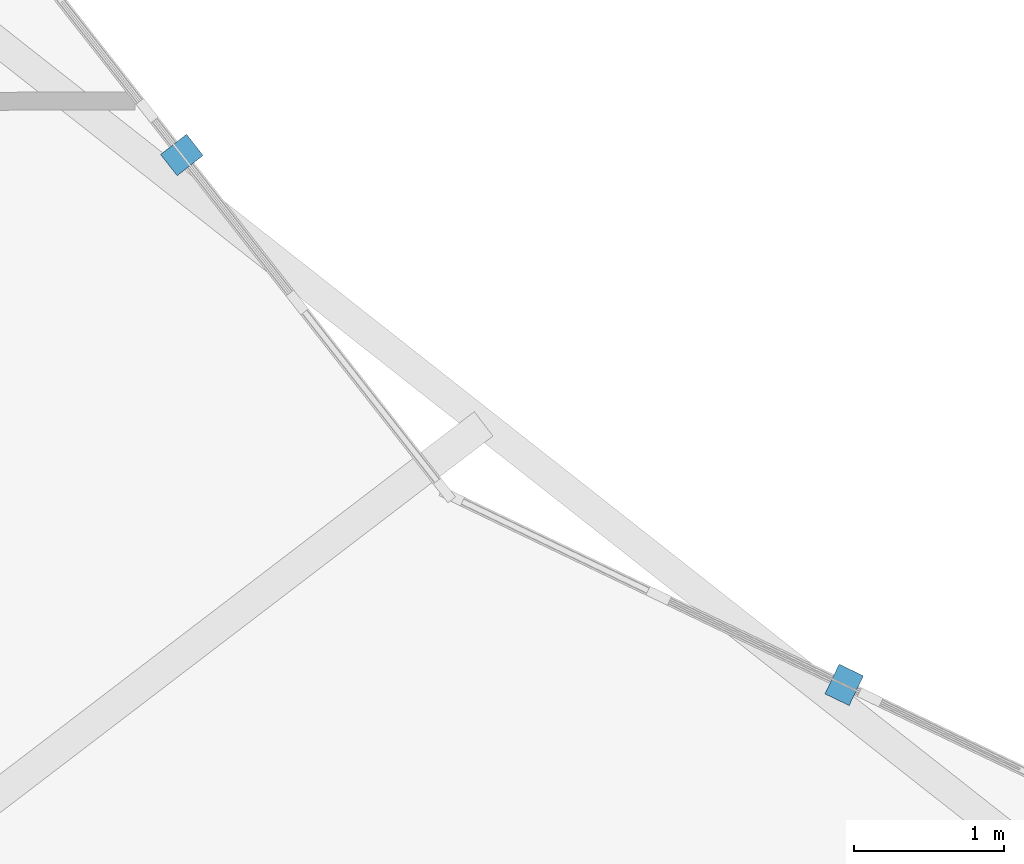
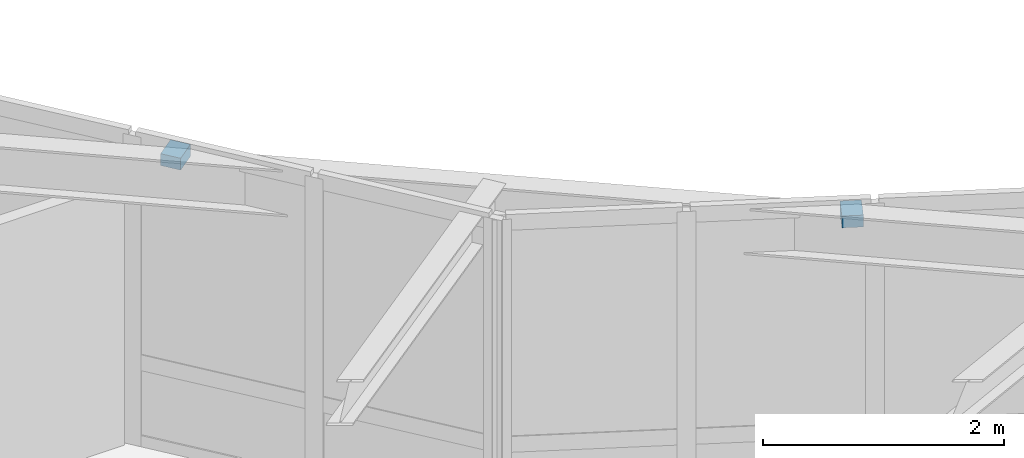
# One storey, part 15 of 18: 2 discrete accessories.
"""IFC4 building model written with IfcOpenShell, lengths in metres."""

from ifc_helpers import new_model, si_unit, direction, frame, origin, origin_2d, place, context, subcontext, project, spatial, rectangle, extrude, material, type_object, element, save


model = new_model("IFC4")

# Units and contexts
model_context = context("Model", 3, precision=1e-05, world=origin(), true_north=direction((0.0, 1.0)))
body_context = subcontext(model_context, "Body", "Model", "MODEL_VIEW")
ifc_project = project(units=[si_unit("LENGTHUNIT", "METRE"), si_unit("AREAUNIT", "SQUARE_METRE"), si_unit("VOLUMEUNIT", "CUBIC_METRE"), si_unit("PLANEANGLEUNIT", "RADIAN"), si_unit("MASSUNIT", "GRAM", prefix="KILO")], contexts=[model_context])

# Site, building, storey
site_placement = place(None, origin())
site = spatial("IfcSite", under=ifc_project, at=site_placement, CompositionType="ELEMENT")
building_placement = place(site_placement, origin())
building = spatial("IfcBuilding", under=site, at=building_placement, Name="Kolvaren Gate Tower and Convention Centre", CompositionType="ELEMENT")
storey_placement = place(building_placement, frame((0.0, 0.0, 135.89990234375)))
storey = spatial("IfcBuildingStorey", under=building, at=storey_placement, Name="L34", CompositionType="ELEMENT", Elevation=135.89990234375)

# Discrete accessories
ifc_material = material(Name="Anodized Architectural Aluminium Alloy 6063-T6", Category="aluminium")
discrete_accessory_type = type_object("IfcDiscreteAccessoryType", Name="ARCH-ACC-BRACKET-120", PredefinedType="BRACKET", material=ifc_material)
for number, where, z_axis, x_axis, name in (
    (1, (48.42041015625, 37.948974609375, 2.949951171875), (0.0, 0.0, 1.0), (0.901362925045, -0.433064518696, 0.0), "Solar Screen Spandrel Anchor Bracket BK-L34-02"),
    (2, (43.993896484375, 41.490234375, 2.949951171875), (0.0, 0.0, 1.0), (0.616424499081, -0.787414018756, 0.0), "Solar Screen Spandrel Anchor Bracket BK-L34-03"),
):
    element("IfcDiscreteAccessory", number, at=place(storey_placement, frame(where, z_axis=z_axis, x_axis=x_axis)), inside=storey, type_object=discrete_accessory_type, Name=name, PredefinedType="BRACKET", context=body_context, shape_type="SweptSolid", body=[
        extrude(rectangle(XDim=0.179931640625, YDim=0.219970703125, at=origin_2d()), origin(), (0.0, 0.0, 1.0), 0.1201171875),
    ])

save(model, "model.ifc")
